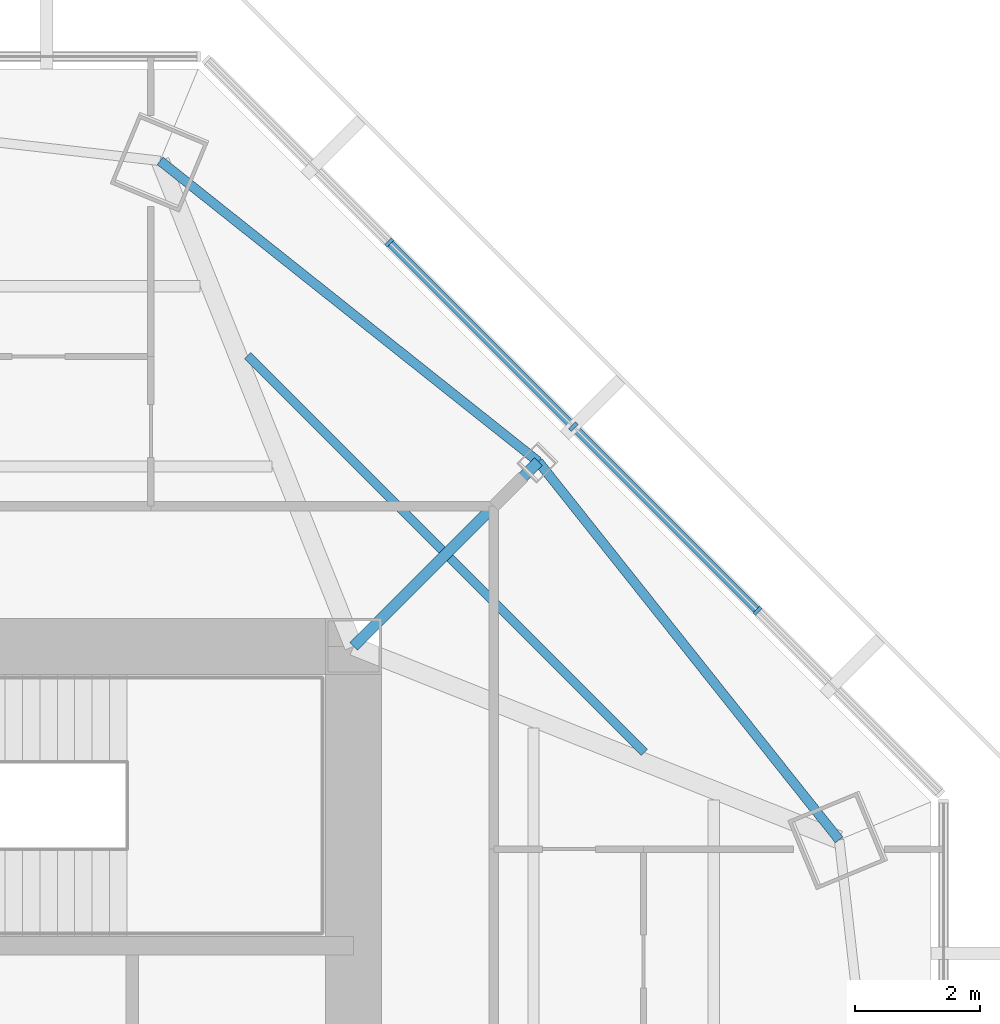
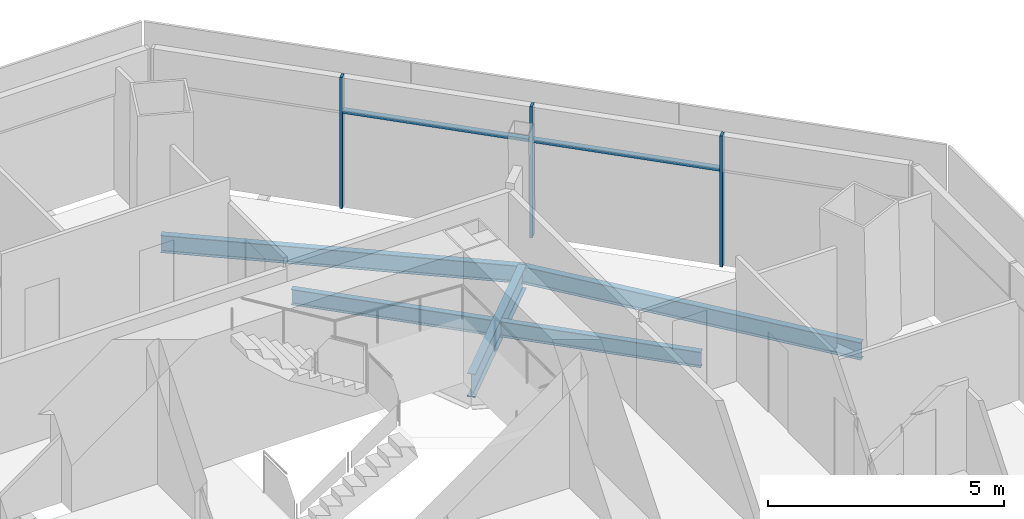
# One storey, part 7 of 15: 5 beams, 5 members, 1 element without a shape of its own.
"""IFC4 building model written with IfcOpenShell, lengths in metres."""

from ifc_helpers import new_model, si_unit, direction, frame, origin, origin_2d, place, context, subcontext, project, spatial, rectangle, i_section, extrude, source, transform, mapped, material, material_profile, profile_set, type_object, type_shapes, element, aggregate, save


model = new_model("IFC4")

# Units and contexts
model_context = context("Model", 3, precision=1e-05, world=origin(), true_north=direction((0.0, 1.0)))
body_context = subcontext(model_context, "Body", "Model", "MODEL_VIEW")
ifc_project = project(units=[si_unit("LENGTHUNIT", "METRE"), si_unit("AREAUNIT", "SQUARE_METRE"), si_unit("VOLUMEUNIT", "CUBIC_METRE"), si_unit("PLANEANGLEUNIT", "RADIAN"), si_unit("MASSUNIT", "GRAM", prefix="KILO")], contexts=[model_context])

# Site, building, storey
site_placement = place(None, origin())
site = spatial("IfcSite", under=ifc_project, at=site_placement, CompositionType="ELEMENT")
building_placement = place(site_placement, origin())
building = spatial("IfcBuilding", under=site, at=building_placement, Name="Mashrafa Tower", CompositionType="ELEMENT")
storey_placement = place(building_placement, frame((0.0, 0.0, 274.199951171875)))
storey = spatial("IfcBuildingStorey", under=building, at=storey_placement, Name="L66", CompositionType="ELEMENT", Elevation=274.199951171875)

# Beams
ifc_material_1 = material(Name="Steel ASTM A992", Category="steel")
ifc_material_profile_1 = material_profile(ifc_material_1, i_section(OverallWidth=0.140380859375, OverallDepth=0.40380859375, WebThickness=0.007080078125, FlangeThickness=0.01123046875, FilletRadius=0.01025390625, at=origin_2d()), Name="W16X31")
ifc_profile_set_1 = profile_set([ifc_material_profile_1], Name="Steel ASTM A992")
beam_type_1 = type_object("IfcBeamType", Name="Beam W16X31", PredefinedType="BEAM", material=ifc_profile_set_1)
for number, where, z_axis, x_axis, name in (
    (1, (9.09912109375, 15.463623046875, -0.40185546875), (0.707134452808, -0.707079108482, 0.0), (0.707079108482, 0.707134452808, 0.0), "Floor beam L66 016"),
    (2, (12.344482421875, 12.218505859375, -0.40185546875), (0.707079108482, -0.707134452808, 0.0), (0.707134452808, 0.707079108482, 0.0), "Floor beam L66 019"),
):
    element("IfcBeam", number, at=place(storey_placement, frame(where, z_axis=z_axis, x_axis=x_axis)), inside=storey, type_object=beam_type_1, Name=name, PredefinedType="BEAM", context=body_context, shape_type="SweptSolid", body=[
        extrude(i_section(OverallWidth=0.140380859375, OverallDepth=0.40380859375, WebThickness=0.007080078125, FlangeThickness=0.01123046875, FilletRadius=0.01025390625, at=origin_2d()), origin(), (0.0, 0.0, 1.0), 4.411376953125),
    ])
ifc_material_2 = material(Name="Steel ASTM A992", Category="steel")
ifc_material_profile_2 = material_profile(ifc_material_2, i_section(OverallWidth=0.15234375, OverallDepth=0.449462890625, WebThickness=0.007568359375, FlangeThickness=0.0107421875, FilletRadius=0.01025390625, at=origin_2d()), Name="W18X35")
ifc_profile_set_2 = profile_set([ifc_material_profile_2], Name="Steel ASTM A992")
beam_type_2 = type_object("IfcBeamType", Name="Beam W18X35", PredefinedType="BEAM", material=ifc_profile_set_2)
for number, where, z_axis, x_axis, name in (
    (3, (13.762939453125, 13.762939453125, -0.4248046875), (-0.782706752919, 0.622390664241, 0.0), (-0.622390664241, -0.782706752919, 0.0), "Spandrel beam L66 053"),
    (4, (18.58544921875, 7.6982421875, -0.4248046875), (-0.622390664241, 0.782706752919, 0.0), (-0.782706752919, -0.622390664241, 0.0), "Spandrel beam L66 055"),
):
    element("IfcBeam", number, at=place(storey_placement, frame(where, z_axis=z_axis, x_axis=x_axis)), inside=storey, type_object=beam_type_2, Name=name, PredefinedType="BEAM", context=body_context, shape_type="SweptSolid", body=[
        extrude(i_section(OverallWidth=0.15234375, OverallDepth=0.449462890625, WebThickness=0.007568359375, FlangeThickness=0.0107421875, FilletRadius=0.01025390625, at=origin_2d()), origin(), (0.0, 0.0, 1.0), 7.748291015625),
    ])
ifc_material_3 = material(Name="Steel ASTM A992", Category="steel")
ifc_material_profile_3 = material_profile(ifc_material_3, i_section(OverallWidth=0.177978515625, OverallDepth=0.599365234375, WebThickness=0.010009765625, FlangeThickness=0.012939453125, FilletRadius=0.012939453125, at=origin_2d()), Name="W24X55")
ifc_profile_set_3 = profile_set([ifc_material_profile_3], Name="Steel ASTM A992")
beam_type_3 = type_object("IfcBeamType", Name="Beam W24X55", PredefinedType="BEAM", material=ifc_profile_set_3)
beam_placement = place(storey_placement, frame((10.800048828125, 10.800048828125, -0.499755859375), z_axis=(0.707106781187, 0.707106781187, 0.0), x_axis=(-0.707106781187, 0.707106781187, 0.0)))
element("IfcBeam", 5, at=beam_placement, inside=storey, type_object=beam_type_3, Name="Radial girder L66 039", PredefinedType="BEAM", context=body_context, shape_type="SweptSolid", body=[
    extrude(i_section(OverallWidth=0.177978515625, OverallDepth=0.599365234375, WebThickness=0.010009765625, FlangeThickness=0.012939453125, FilletRadius=0.012939453125, at=origin_2d()), origin(), (0.0, 0.0, 1.0), 4.190185546875),
])

# Curtain wall, members
ifc_material_4 = material(Name="Unitised aluminium curtain wall", Category="aluminium")
curtain_wall_type = type_object("IfcCurtainWallType", Name="Apartment curtain wall, zone 4 CW-D 160 deep", PredefinedType="NOTDEFINED", material=ifc_material_4)
curtain_wall_placement = place(storey_placement, origin())
curtain_wall = element("IfcCurtainWall", 6, at=curtain_wall_placement, inside=storey, type_object=curtain_wall_type, Name="Apartment curtain wall, zone 4 L66 north-east", PredefinedType="NOTDEFINED")
ifc_material_5 = material(Name="Extruded aluminium mullion", Category="aluminium")
ifc_material_profile_4 = material_profile(ifc_material_5, rectangle(XDim=0.159912109375, YDim=0.06005859375, at=origin_2d()), Name="Mullion 60x160")
ifc_profile_set_4 = profile_set([ifc_material_profile_4], Name="Extruded aluminium mullion")
member_type_1 = type_object("IfcMemberType", Name="Mullion CW-D 60 x 160", PredefinedType="MULLION", material=ifc_profile_set_4)
shared_shape_1 = source(origin(), body_context, "Body", "SweptSolid", [
    extrude(rectangle(XDim=0.159912109375, YDim=0.06005859375, at=origin_2d()), origin(), (0.0, 0.0, 1.0), 3.400146484375),
])
type_shapes(member_type_1, [shared_shape_1])
member_1_placement = place(storey_placement, frame((17.276123046875, 11.373046875, 0.0), z_axis=(0.0, 0.0, 1.0), x_axis=(-0.707106781187, -0.707106781187, 0.0)))
member_1 = element("IfcMember", 7, at=member_1_placement, type_object=member_type_1, Name="CW-D mullion 2", PredefinedType="MULLION", context=body_context, shape_type="MappedRepresentation", body=[
    mapped(shared_shape_1, transform((0.0, 0.0, 0.0))),
])
member_2_placement = place(storey_placement, frame((14.324462890625, 14.324462890625, 0.0), z_axis=(0.0, 0.0, 1.0), x_axis=(-0.707106781187, -0.707106781187, 0.0)))
member_2 = element("IfcMember", 8, at=member_2_placement, type_object=member_type_1, Name="CW-D mullion 3", PredefinedType="MULLION", context=body_context, shape_type="MappedRepresentation", body=[
    mapped(shared_shape_1, transform((0.0, 0.0, 0.0))),
])
member_3_placement = place(storey_placement, frame((11.373046875, 17.276123046875, 0.0), z_axis=(0.0, 0.0, 1.0), x_axis=(-0.707106781187, -0.707106781187, 0.0)))
member_3 = element("IfcMember", 9, at=member_3_placement, type_object=member_type_1, Name="CW-D mullion 4", PredefinedType="MULLION", context=body_context, shape_type="MappedRepresentation", body=[
    mapped(shared_shape_1, transform((0.0, 0.0, 0.0))),
])
ifc_material_6 = material(Name="Extruded aluminium transom", Category="aluminium")
ifc_material_profile_5 = material_profile(ifc_material_6, rectangle(XDim=0.1279296875, YDim=0.074951171875, at=origin_2d()), Name="Transom 75x128")
ifc_profile_set_5 = profile_set([ifc_material_profile_5], Name="Extruded aluminium transom")
member_type_2 = type_object("IfcMemberType", Name="Transom CW-D 75 x 128", PredefinedType="MULLION", material=ifc_profile_set_5)
shared_shape_2 = source(origin(), body_context, "Body", "SweptSolid", [
    extrude(rectangle(XDim=0.1279296875, YDim=0.074951171875, at=origin_2d()), origin(), (0.0, 0.0, 1.0), 4.1142578125),
])
type_shapes(member_type_2, [shared_shape_2])
member_4_placement = place(storey_placement, frame((17.2548828125, 11.394287109375, 2.5), z_axis=(-0.707106781187, 0.707106781187, 0.0), x_axis=(-0.707106781187, -0.707106781187, 0.0)))
member_4 = element("IfcMember", 10, at=member_4_placement, type_object=member_type_2, Name="CW-D transom 2", PredefinedType="MULLION", context=body_context, shape_type="MappedRepresentation", body=[
    mapped(shared_shape_2, transform((0.0, 0.0, 0.0))),
])
member_5_placement = place(storey_placement, frame((14.303466796875, 14.345703125, 2.5), z_axis=(-0.707106781187, 0.707106781187, 0.0), x_axis=(-0.707106781187, -0.707106781187, 0.0)))
member_5 = element("IfcMember", 11, at=member_5_placement, type_object=member_type_2, Name="CW-D transom 3", PredefinedType="MULLION", context=body_context, shape_type="MappedRepresentation", body=[
    mapped(shared_shape_2, transform((0.0, 0.0, 0.0))),
])
aggregate(curtain_wall, [member_1, member_2, member_3, member_4, member_5])

save(model, "model.ifc")
